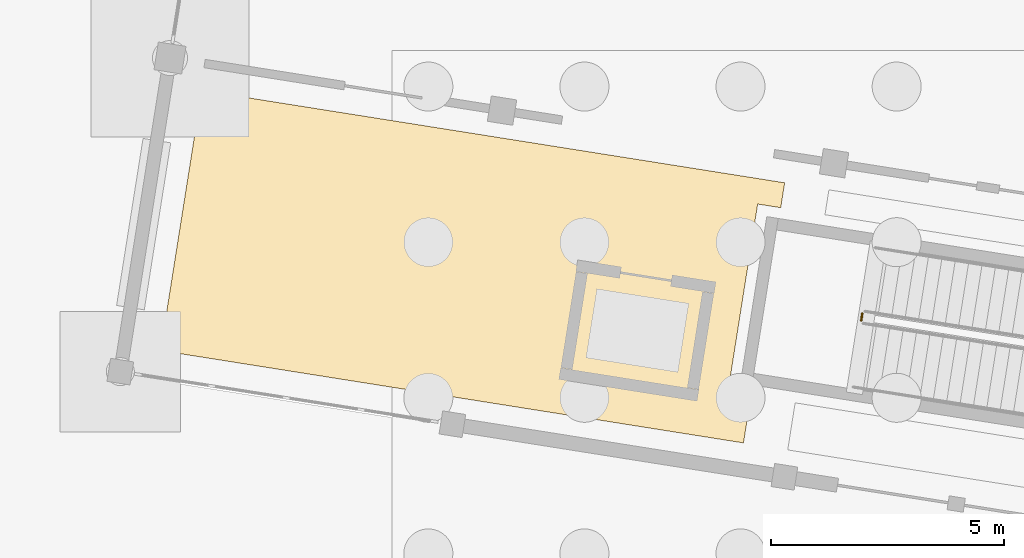
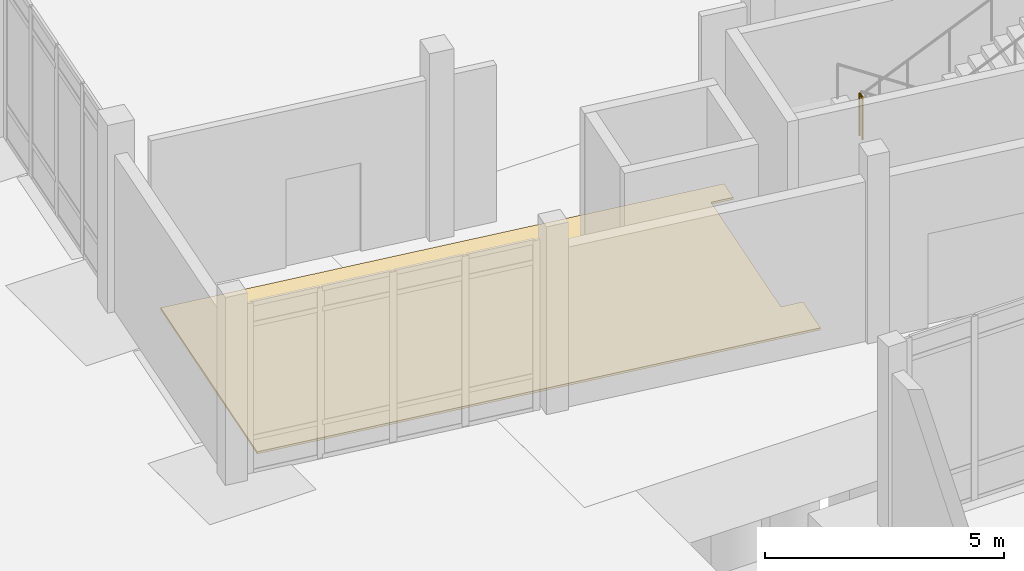
# One storey, part 62 of 72: 1 covering, 1 railing.
"""IFC4 building model written with IfcOpenShell, lengths in metres."""

from ifc_helpers import new_model, si_unit, direction, frame, origin, origin_2d, place, context, subcontext, project, spatial, polyline, circle, outline, extrude, material, layer, layer_set, type_object, element, save


model = new_model("IFC4")

# Units and contexts
model_context = context("Model", 3, precision=1e-05, world=origin(), true_north=direction((0.0, 1.0)))
body_context = subcontext(model_context, "Body", "Model", "MODEL_VIEW")
ifc_project = project(units=[si_unit("LENGTHUNIT", "METRE"), si_unit("AREAUNIT", "SQUARE_METRE"), si_unit("VOLUMEUNIT", "CUBIC_METRE"), si_unit("PLANEANGLEUNIT", "RADIAN"), si_unit("MASSUNIT", "GRAM", prefix="KILO")], contexts=[model_context])

# Site, building, storey
site_placement = place(None, origin())
site = spatial("IfcSite", under=ifc_project, at=site_placement, CompositionType="ELEMENT")
building_placement = place(site_placement, origin())
building = spatial("IfcBuilding", under=site, at=building_placement, Name="Cinderway Yard Community Centre", CompositionType="ELEMENT")
storey_placement = place(building_placement, origin())
storey = spatial("IfcBuildingStorey", under=building, at=storey_placement, Name="L00", CompositionType="ELEMENT", Elevation=0.0)

# Covering
ifc_material_1 = material(Name="Sprung Hardwood Court Floor", Category="wood")
ifc_layer = layer(ifc_material_1, 0.054931640625, Name="Sprung Hardwood Court Floor")
ifc_layer_set = layer_set([ifc_layer], Name="Sprung Hardwood Court Floor")
covering_type = type_object("IfcCoveringType", Name="INT-COV-FLR-SPR", PredefinedType="FLOORING", material=ifc_layer_set)
covering_placement = place(storey_placement, origin())
element("IfcCovering", 1, at=covering_placement, inside=storey, type_object=covering_type, Name="Sports South Lobby Floor Finish", PredefinedType="FLOORING", context=body_context, shape_type="SweptSolid", body=[
    extrude(outline(polyline([(118.679931640625, 37.304931640625), (131.1640625, 35.327880859375), (131.080078125, 34.794921875), (130.5859375, 34.873046875), (129.947998046875, 30.843017578125), (130.44189453125, 30.764892578125), (130.281982421875, 29.757080078125), (117.798095703125, 31.735107421875), (118.679931640625, 37.304931640625)])), origin(), (0.0, 0.0, 1.0), 0.054931640625),
])

# Railing
ifc_material_2 = material(Name="Painted Galvanised Steel", Category="steel")
railing_type = type_object("IfcRailingType", Name="INT-RAL-GRD112", PredefinedType="GUARDRAIL", material=ifc_material_2)
railing_placement = place(storey_placement, frame((132.82763671875, 32.533203125, 2.39990234375)))
element("IfcRailing", 2, at=railing_placement, inside=storey, type_object=railing_type, Name="L00 ST-07 stair guard 2", PredefinedType="GUARDRAIL", context=body_context, shape_type="SweptSolid", body=[
    extrude(circle(Radius=0.02392578125, at=origin_2d()), frame((0.0, 0.0, 1.076171875), z_axis=(-0.155727368733, -0.987800074219, 0.0), x_axis=(0.987800074219, -0.155727368733, 0.0)), (0.0, 0.0, 1.0), 0.159912109375),
    extrude(circle(Radius=0.02099609375, at=origin_2d()), origin(), (0.0, 0.0, 1.0), 1.052001953125),
    extrude(circle(Radius=0.02099609375, at=origin_2d()), frame((-0.02490234375, -0.157958984375, 0.0)), (0.0, 0.0, 1.0), 1.052001953125),
])

save(model, "model.ifc")
